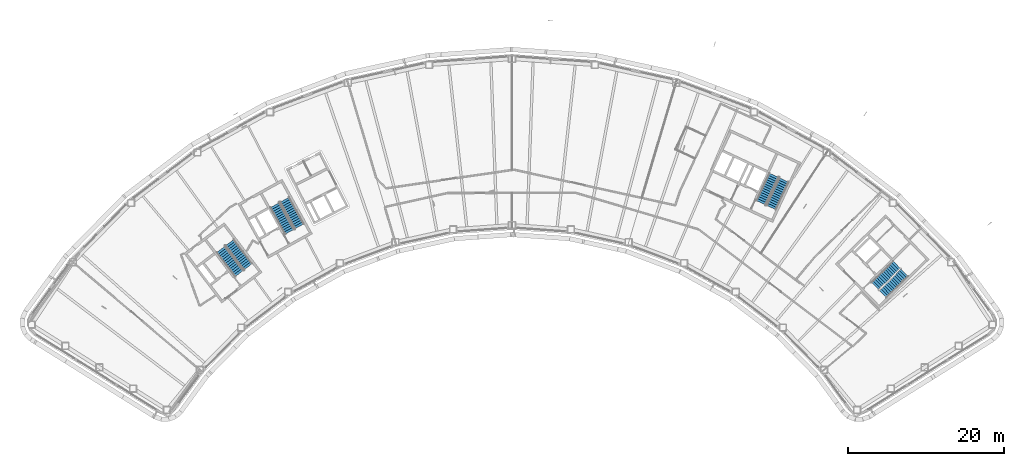
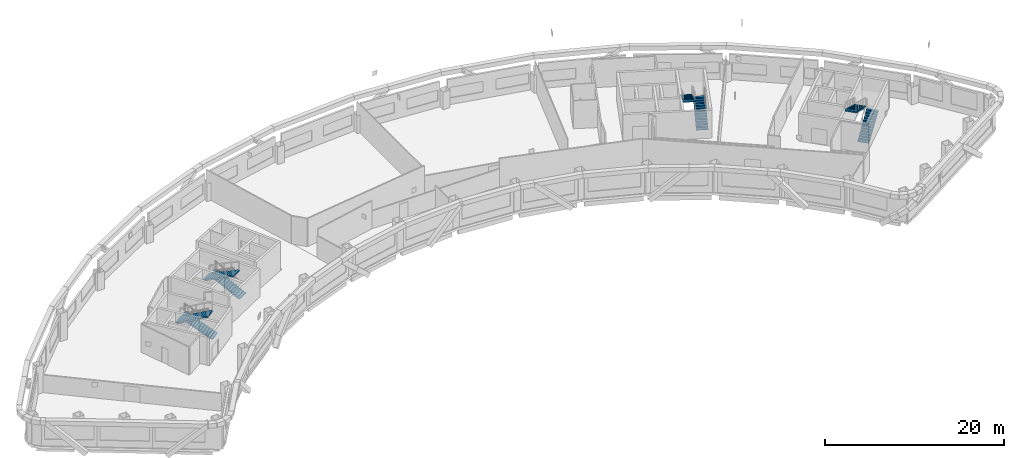
# One storey, part 11 of 20: 8 stair flights, 4 elements without a shape of their own.
"""IFC4 building model written with IfcOpenShell, lengths in metres."""

from ifc_helpers import new_model, si_unit, direction, frame, origin, place, context, subcontext, project, spatial, polyline, outline, extrude, material, type_object, element, aggregate, save


model = new_model("IFC4")

# Units and contexts
model_context = context("Model", 3, precision=1e-05, world=origin(), true_north=direction((0.0, 1.0)))
body_context = subcontext(model_context, "Body", "Model", "MODEL_VIEW")
ifc_project = project(units=[si_unit("LENGTHUNIT", "METRE"), si_unit("AREAUNIT", "SQUARE_METRE"), si_unit("VOLUMEUNIT", "CUBIC_METRE"), si_unit("PLANEANGLEUNIT", "RADIAN"), si_unit("MASSUNIT", "GRAM", prefix="KILO")], contexts=[model_context])

# Site, building, storey
site_placement = place(None, origin())
site = spatial("IfcSite", under=ifc_project, at=site_placement, CompositionType="ELEMENT")
building_placement = place(site_placement, origin())
building = spatial("IfcBuilding", under=site, at=building_placement, Name="Tuul Gate Civic Tower", CompositionType="ELEMENT")
storey_placement = place(building_placement, frame((0.0, 0.0, 197.300048828125)))
storey = spatial("IfcBuildingStorey", under=building, at=storey_placement, Name="Level 45", CompositionType="ELEMENT", Elevation=197.300048828125)

# Stair, stair flights
ifc_material_1 = material(Name="Concrete C40/50", Category="concrete")
stair_type = type_object("IfcStairType", Name="Exit stair", PredefinedType="HALF_TURN_STAIR", material=ifc_material_1)
stair_1_placement = place(storey_placement, origin())
stair_1 = element("IfcStair", 1, at=stair_1_placement, inside=storey, type_object=stair_type, Name="Level 45 ST-1", PredefinedType="HALF_TURN_STAIR")
ifc_material_2 = material(Name="Concrete C40/50", Category="concrete")
stair_flight_type = type_object("IfcStairFlightType", Name="Exit stair flight", PredefinedType="STRAIGHT", material=ifc_material_2)
stair_flight_1_placement = place(storey_placement, frame((-32.875244140625, -13.066650390625, 0.0), z_axis=(0.0, 0.0, 1.0), x_axis=(-0.605764474941, 0.795644016442, 0.0)))
stair_flight_1 = element("IfcStairFlight", 2, at=stair_flight_1_placement, type_object=stair_flight_type, Name="ST-1 flight 1", NumberOfRisers=14, NumberOfTreads=13, PredefinedType="STRAIGHT", RiserHeight=0.15, TreadLength=0.3, context=body_context, shape_type="SweptSolid", body=[
    extrude(outline(polyline([(0.0, 0.0), (0.0, 0.14990234375), (0.300048828125, 0.14990234375), (0.300048828125, 0.300048828125), (0.60009765625, 0.300048828125), (0.60009765625, 0.449951171875), (0.89990234375, 0.449951171875), (0.89990234375, 0.60009765625), (1.199951171875, 0.60009765625), (1.199951171875, 0.75), (1.5, 0.75), (1.5, 0.89990234375), (1.800048828125, 0.89990234375), (1.800048828125, 1.050048828125), (2.10009765625, 1.050048828125), (2.10009765625, 1.199951171875), (2.39990234375, 1.199951171875), (2.39990234375, 1.35009765625), (2.699951171875, 1.35009765625), (2.699951171875, 1.5), (3.0, 1.5), (3.0, 1.64990234375), (3.300048828125, 1.64990234375), (3.300048828125, 1.800048828125), (3.60009765625, 1.800048828125), (3.60009765625, 1.949951171875), (3.89990234375, 1.949951171875), (3.89990234375, 2.10009765625), (3.89990234375, 1.782470703125), (0.335205078125, 0.0), (0.0, 0.0)])), frame((0.0, 0.675048828125, 0.0), z_axis=(0.0, -1.0, 0.0), x_axis=(1.0, 0.0, 0.0)), (0.0, 0.0, 1.0), 1.35009765625),
])
stair_flight_2_placement = place(storey_placement, frame((-36.391357421875, -10.842041015625, 2.099853515625), z_axis=(0.0, 0.0, 1.0), x_axis=(0.605764474941, -0.795644016442, 0.0)))
stair_flight_2 = element("IfcStairFlight", 3, at=stair_flight_2_placement, type_object=stair_flight_type, Name="ST-1 flight 2", NumberOfRisers=14, NumberOfTreads=13, PredefinedType="STRAIGHT", RiserHeight=0.15, TreadLength=0.3, context=body_context, shape_type="SweptSolid", body=[
    extrude(outline(polyline([(0.0, 0.0), (0.0, 0.14990234375), (0.300048828125, 0.14990234375), (0.300048828125, 0.300048828125), (0.60009765625, 0.300048828125), (0.60009765625, 0.449951171875), (0.89990234375, 0.449951171875), (0.89990234375, 0.60009765625), (1.199951171875, 0.60009765625), (1.199951171875, 0.75), (1.5, 0.75), (1.5, 0.89990234375), (1.800048828125, 0.89990234375), (1.800048828125, 1.050048828125), (2.10009765625, 1.050048828125), (2.10009765625, 1.199951171875), (2.39990234375, 1.199951171875), (2.39990234375, 1.35009765625), (2.699951171875, 1.35009765625), (2.699951171875, 1.5), (3.0, 1.5), (3.0, 1.64990234375), (3.300048828125, 1.64990234375), (3.300048828125, 1.800048828125), (3.60009765625, 1.800048828125), (3.60009765625, 1.949951171875), (3.89990234375, 1.949951171875), (3.89990234375, 2.10009765625), (3.89990234375, 1.782470703125), (0.335205078125, 0.0), (0.0, 0.0)])), frame((0.0, 0.675048828125, 0.0), z_axis=(0.0, -1.0, 0.0), x_axis=(1.0, 0.0, 0.0)), (0.0, 0.0, 1.0), 1.35009765625),
])
aggregate(stair_1, [stair_flight_1, stair_flight_2])

stair_2_placement = place(storey_placement, origin())
stair_2 = element("IfcStair", 4, at=stair_2_placement, inside=storey, type_object=stair_type, Name="Level 45 ST-2", PredefinedType="HALF_TURN_STAIR")
stair_flight_3_placement = place(storey_placement, frame((-26.29150390625, -7.87646484375, 0.0), z_axis=(0.0, 0.0, 1.0), x_axis=(-0.484761763766, 0.874646232708, 0.0)))
stair_flight_3 = element("IfcStairFlight", 5, at=stair_flight_3_placement, type_object=stair_flight_type, Name="ST-2 flight 1", NumberOfRisers=14, NumberOfTreads=13, PredefinedType="STRAIGHT", RiserHeight=0.15, TreadLength=0.3, context=body_context, shape_type="SweptSolid", body=[
    extrude(outline(polyline([(0.0, 0.0), (0.0, 0.14990234375), (0.300048828125, 0.14990234375), (0.300048828125, 0.300048828125), (0.60009765625, 0.300048828125), (0.60009765625, 0.449951171875), (0.89990234375, 0.449951171875), (0.89990234375, 0.60009765625), (1.199951171875, 0.60009765625), (1.199951171875, 0.75), (1.5, 0.75), (1.5, 0.89990234375), (1.800048828125, 0.89990234375), (1.800048828125, 1.050048828125), (2.10009765625, 1.050048828125), (2.10009765625, 1.199951171875), (2.39990234375, 1.199951171875), (2.39990234375, 1.35009765625), (2.699951171875, 1.35009765625), (2.699951171875, 1.5), (3.0, 1.5), (3.0, 1.64990234375), (3.300048828125, 1.64990234375), (3.300048828125, 1.800048828125), (3.60009765625, 1.800048828125), (3.60009765625, 1.949951171875), (3.89990234375, 1.949951171875), (3.89990234375, 2.10009765625), (3.89990234375, 1.782470703125), (0.335205078125, 0.0), (0.0, 0.0)])), frame((0.0, 0.675048828125, 0.0), z_axis=(0.0, -1.0, 0.0), x_axis=(1.0, 0.0, 0.0)), (0.0, 0.0, 1.0), 1.35009765625),
])
stair_flight_4_placement = place(storey_placement, frame((-29.450439453125, -5.168212890625, 2.099853515625), z_axis=(0.0, 0.0, 1.0), x_axis=(0.484761763766, -0.874646232708, 0.0)))
stair_flight_4 = element("IfcStairFlight", 6, at=stair_flight_4_placement, type_object=stair_flight_type, Name="ST-2 flight 2", NumberOfRisers=14, NumberOfTreads=13, PredefinedType="STRAIGHT", RiserHeight=0.15, TreadLength=0.3, context=body_context, shape_type="SweptSolid", body=[
    extrude(outline(polyline([(0.0, 0.0), (0.0, 0.14990234375), (0.300048828125, 0.14990234375), (0.300048828125, 0.300048828125), (0.60009765625, 0.300048828125), (0.60009765625, 0.449951171875), (0.89990234375, 0.449951171875), (0.89990234375, 0.60009765625), (1.199951171875, 0.60009765625), (1.199951171875, 0.75), (1.5, 0.75), (1.5, 0.89990234375), (1.800048828125, 0.89990234375), (1.800048828125, 1.050048828125), (2.10009765625, 1.050048828125), (2.10009765625, 1.199951171875), (2.39990234375, 1.199951171875), (2.39990234375, 1.35009765625), (2.699951171875, 1.35009765625), (2.699951171875, 1.5), (3.0, 1.5), (3.0, 1.64990234375), (3.300048828125, 1.64990234375), (3.300048828125, 1.800048828125), (3.60009765625, 1.800048828125), (3.60009765625, 1.949951171875), (3.89990234375, 1.949951171875), (3.89990234375, 2.10009765625), (3.89990234375, 1.782470703125), (0.335205078125, 0.0), (0.0, 0.0)])), frame((0.0, 0.675048828125, 0.0), z_axis=(0.0, -1.0, 0.0), x_axis=(1.0, 0.0, 0.0)), (0.0, 0.0, 1.0), 1.35009765625),
])
aggregate(stair_2, [stair_flight_3, stair_flight_4])

stair_3_placement = place(storey_placement, origin())
stair_3 = element("IfcStair", 7, at=stair_3_placement, inside=storey, type_object=stair_type, Name="Level 45 ST-3", PredefinedType="HALF_TURN_STAIR")
stair_flight_5_placement = place(storey_placement, frame((48.61376953125, -16.581787109375, 0.0), z_axis=(0.0, 0.0, 1.0), x_axis=(0.714127290059, 0.700015866672, 0.0)))
stair_flight_5 = element("IfcStairFlight", 8, at=stair_flight_5_placement, type_object=stair_flight_type, Name="ST-3 flight 1", NumberOfRisers=14, NumberOfTreads=13, PredefinedType="STRAIGHT", RiserHeight=0.15, TreadLength=0.3, context=body_context, shape_type="SweptSolid", body=[
    extrude(outline(polyline([(0.0, 0.0), (0.0, 0.14990234375), (0.300048828125, 0.14990234375), (0.300048828125, 0.300048828125), (0.60009765625, 0.300048828125), (0.60009765625, 0.449951171875), (0.89990234375, 0.449951171875), (0.89990234375, 0.60009765625), (1.199951171875, 0.60009765625), (1.199951171875, 0.75), (1.5, 0.75), (1.5, 0.89990234375), (1.800048828125, 0.89990234375), (1.800048828125, 1.050048828125), (2.10009765625, 1.050048828125), (2.10009765625, 1.199951171875), (2.39990234375, 1.199951171875), (2.39990234375, 1.35009765625), (2.699951171875, 1.35009765625), (2.699951171875, 1.5), (3.0, 1.5), (3.0, 1.64990234375), (3.300048828125, 1.64990234375), (3.300048828125, 1.800048828125), (3.60009765625, 1.800048828125), (3.60009765625, 1.949951171875), (3.89990234375, 1.949951171875), (3.89990234375, 2.10009765625), (3.89990234375, 1.782470703125), (0.335205078125, 0.0), (0.0, 0.0)])), frame((0.0, 0.675048828125, 0.0), z_axis=(0.0, -1.0, 0.0), x_axis=(1.0, 0.0, 0.0)), (0.0, 0.0, 1.0), 1.35009765625),
])
stair_flight_6_placement = place(storey_placement, frame((50.3837890625, -12.816162109375, 2.099853515625), z_axis=(0.0, 0.0, 1.0), x_axis=(-0.714127290059, -0.700015866672, 0.0)))
stair_flight_6 = element("IfcStairFlight", 9, at=stair_flight_6_placement, type_object=stair_flight_type, Name="ST-3 flight 2", NumberOfRisers=14, NumberOfTreads=13, PredefinedType="STRAIGHT", RiserHeight=0.15, TreadLength=0.3, context=body_context, shape_type="SweptSolid", body=[
    extrude(outline(polyline([(0.0, 0.0), (0.0, 0.14990234375), (0.300048828125, 0.14990234375), (0.300048828125, 0.300048828125), (0.60009765625, 0.300048828125), (0.60009765625, 0.449951171875), (0.89990234375, 0.449951171875), (0.89990234375, 0.60009765625), (1.199951171875, 0.60009765625), (1.199951171875, 0.75), (1.5, 0.75), (1.5, 0.89990234375), (1.800048828125, 0.89990234375), (1.800048828125, 1.050048828125), (2.10009765625, 1.050048828125), (2.10009765625, 1.199951171875), (2.39990234375, 1.199951171875), (2.39990234375, 1.35009765625), (2.699951171875, 1.35009765625), (2.699951171875, 1.5), (3.0, 1.5), (3.0, 1.64990234375), (3.300048828125, 1.64990234375), (3.300048828125, 1.800048828125), (3.60009765625, 1.800048828125), (3.60009765625, 1.949951171875), (3.89990234375, 1.949951171875), (3.89990234375, 2.10009765625), (3.89990234375, 1.782470703125), (0.335205078125, 0.0), (0.0, 0.0)])), frame((0.0, 0.675048828125, 0.0), z_axis=(0.0, -1.0, 0.0), x_axis=(1.0, 0.0, 0.0)), (0.0, 0.0, 1.0), 1.35009765625),
])
aggregate(stair_3, [stair_flight_5, stair_flight_6])

stair_4_placement = place(storey_placement, origin())
stair_4 = element("IfcStair", 10, at=stair_4_placement, inside=storey, type_object=stair_type, Name="Level 45 ST-4", PredefinedType="HALF_TURN_STAIR")
stair_flight_7_placement = place(storey_placement, frame((34.278564453125, -5.478515625, 0.0), z_axis=(0.0, 0.0, 1.0), x_axis=(0.422576295988, 0.906327354806, 0.0)))
stair_flight_7 = element("IfcStairFlight", 11, at=stair_flight_7_placement, type_object=stair_flight_type, Name="ST-4 flight 1", NumberOfRisers=14, NumberOfTreads=13, PredefinedType="STRAIGHT", RiserHeight=0.15, TreadLength=0.3, context=body_context, shape_type="SweptSolid", body=[
    extrude(outline(polyline([(0.0, 0.0), (0.0, 0.14990234375), (0.300048828125, 0.14990234375), (0.300048828125, 0.300048828125), (0.60009765625, 0.300048828125), (0.60009765625, 0.449951171875), (0.89990234375, 0.449951171875), (0.89990234375, 0.60009765625), (1.199951171875, 0.60009765625), (1.199951171875, 0.75), (1.5, 0.75), (1.5, 0.89990234375), (1.800048828125, 0.89990234375), (1.800048828125, 1.050048828125), (2.10009765625, 1.050048828125), (2.10009765625, 1.199951171875), (2.39990234375, 1.199951171875), (2.39990234375, 1.35009765625), (2.699951171875, 1.35009765625), (2.699951171875, 1.5), (3.0, 1.5), (3.0, 1.64990234375), (3.300048828125, 1.64990234375), (3.300048828125, 1.800048828125), (3.60009765625, 1.800048828125), (3.60009765625, 1.949951171875), (3.89990234375, 1.949951171875), (3.89990234375, 2.10009765625), (3.89990234375, 1.782470703125), (0.335205078125, 0.0), (0.0, 0.0)])), frame((0.0, 0.675048828125, 0.0), z_axis=(0.0, -1.0, 0.0), x_axis=(1.0, 0.0, 0.0)), (0.0, 0.0, 1.0), 1.35009765625),
])
stair_flight_8_placement = place(storey_placement, frame((34.612548828125, -1.3310546875, 2.099853515625), z_axis=(0.0, 0.0, 1.0), x_axis=(-0.422576295988, -0.906327354806, 0.0)))
stair_flight_8 = element("IfcStairFlight", 12, at=stair_flight_8_placement, type_object=stair_flight_type, Name="ST-4 flight 2", NumberOfRisers=14, NumberOfTreads=13, PredefinedType="STRAIGHT", RiserHeight=0.15, TreadLength=0.3, context=body_context, shape_type="SweptSolid", body=[
    extrude(outline(polyline([(0.0, 0.0), (0.0, 0.14990234375), (0.300048828125, 0.14990234375), (0.300048828125, 0.300048828125), (0.60009765625, 0.300048828125), (0.60009765625, 0.449951171875), (0.89990234375, 0.449951171875), (0.89990234375, 0.60009765625), (1.199951171875, 0.60009765625), (1.199951171875, 0.75), (1.5, 0.75), (1.5, 0.89990234375), (1.800048828125, 0.89990234375), (1.800048828125, 1.050048828125), (2.10009765625, 1.050048828125), (2.10009765625, 1.199951171875), (2.39990234375, 1.199951171875), (2.39990234375, 1.35009765625), (2.699951171875, 1.35009765625), (2.699951171875, 1.5), (3.0, 1.5), (3.0, 1.64990234375), (3.300048828125, 1.64990234375), (3.300048828125, 1.800048828125), (3.60009765625, 1.800048828125), (3.60009765625, 1.949951171875), (3.89990234375, 1.949951171875), (3.89990234375, 2.10009765625), (3.89990234375, 1.782470703125), (0.335205078125, 0.0), (0.0, 0.0)])), frame((0.0, 0.675048828125, 0.0), z_axis=(0.0, -1.0, 0.0), x_axis=(1.0, 0.0, 0.0)), (0.0, 0.0, 1.0), 1.35009765625),
])
aggregate(stair_4, [stair_flight_7, stair_flight_8])

save(model, "model.ifc")
